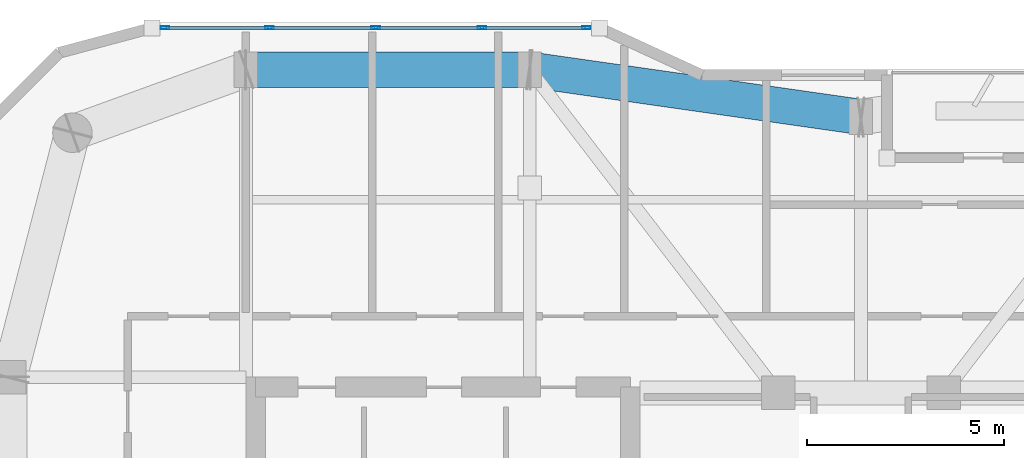
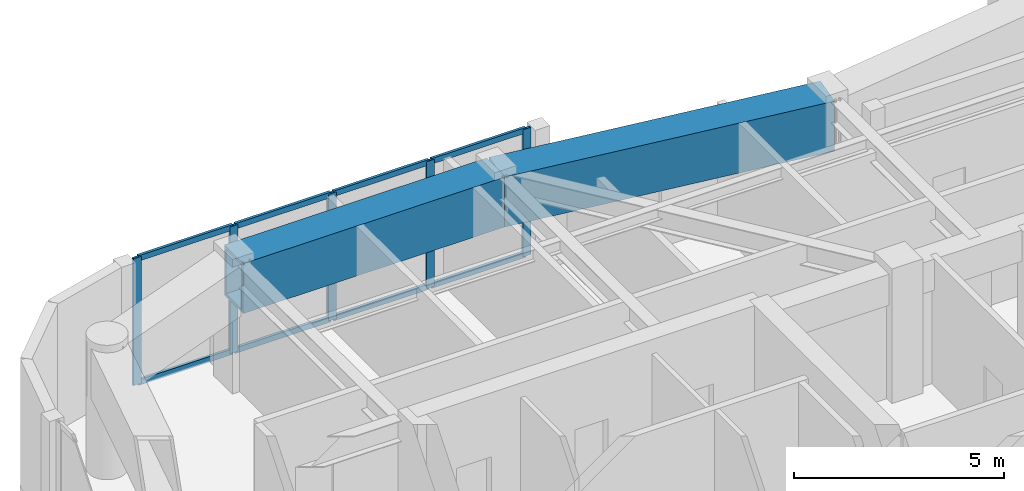
# One storey, part 6 of 16: 13 members, 2 beams, 1 element without a shape of its own.
"""IFC4 building model written with IfcOpenShell, lengths in metres."""

from ifc_helpers import new_model, si_unit, direction, frame, origin, origin_2d, place, context, subcontext, project, spatial, hollow_rectangle, extrude, material, layer, layer_set, material_profile, profile_set, type_object, element, aggregate, save


model = new_model("IFC4")

# Units and contexts
model_context = context("Model", 3, precision=1e-05, world=origin(), true_north=direction((0.0, 1.0)))
body_context = subcontext(model_context, "Body", "Model", "MODEL_VIEW")
ifc_project = project(units=[si_unit("LENGTHUNIT", "METRE"), si_unit("AREAUNIT", "SQUARE_METRE"), si_unit("VOLUMEUNIT", "CUBIC_METRE"), si_unit("PLANEANGLEUNIT", "RADIAN"), si_unit("MASSUNIT", "GRAM", prefix="KILO")], contexts=[model_context])

# Site, building, storey
site_placement = place(None, origin())
site = spatial("IfcSite", under=ifc_project, at=site_placement, CompositionType="ELEMENT")
building_placement = place(site_placement, origin())
building = spatial("IfcBuilding", under=site, at=building_placement, Name="Kiyonajd Concourse Tower", CompositionType="ELEMENT")
storey_placement = place(building_placement, frame((0.0, 0.0, 346.5)))
storey = spatial("IfcBuildingStorey", under=building, at=storey_placement, Name="L87", CompositionType="ELEMENT", Elevation=346.5)

# Beams
ifc_material_1 = material(Name="Steel ASTM A572 Grade 50", Category="steel")
ifc_material_profile_1 = material_profile(ifc_material_1, hollow_rectangle(XDim=0.89990234375, YDim=1.449951171875, WallThickness=0.074951171875, at=origin_2d()), Name="BOX-1450x900x75")
ifc_profile_set_1 = profile_set([ifc_material_profile_1], Name="Steel ASTM A572 Grade 50")
beam_type = type_object("IfcBeamType", Name="BM-XFER-1800", PredefinedType="BEAM", material=ifc_profile_set_1)
beam_1_placement = place(storey_placement, frame((48.0, 51.0, 2.955078125), z_axis=(-0.989950069105, 0.141417328072, 0.0), x_axis=(-0.141417328072, -0.989950069105, 0.0)))
element("IfcBeam", 1, at=beam_1_placement, inside=storey, type_object=beam_type, Name="L87 Perimeter Bundled Tube Spandrel", PredefinedType="BEAM", context=body_context, shape_type="SweptSolid", body=[
    extrude(hollow_rectangle(XDim=0.89990234375, YDim=1.449951171875, WallThickness=0.074951171875, at=origin_2d()), origin(), (0.0, 0.0, 1.0), 8.485107421875),
])
beam_2_placement = place(storey_placement, frame((39.60009765625, 52.199951171875, 2.955078125), z_axis=(-1.0, 0.0, 0.0), x_axis=(0.0, -1.0, 0.0)))
element("IfcBeam", 2, at=beam_2_placement, inside=storey, type_object=beam_type, Name="L87 Perimeter Bundled Tube Spandrel", PredefinedType="BEAM", context=body_context, shape_type="SweptSolid", body=[
    extrude(hollow_rectangle(XDim=0.89990234375, YDim=1.449951171875, WallThickness=0.074951171875, at=origin_2d()), origin(), (0.0, 0.0, 1.0), 7.2001953125),
])

# Curtain wall, members
ifc_material_2 = material(Name="Thermally Broken Anodised Aluminium", Category="aluminium")
ifc_layer = layer(ifc_material_2, 0.179931640625)
ifc_layer_set = layer_set([ifc_layer], Name="Thermally Broken Anodised Aluminium")
curtain_wall_type = type_object("IfcCurtainWallType", Name="CW-SYS-06", PredefinedType="NOTDEFINED", material=ifc_layer_set)
curtain_wall_placement = place(storey_placement, origin())
curtain_wall = element("IfcCurtainWall", 3, at=curtain_wall_placement, inside=storey, type_object=curtain_wall_type, Name="L87 Unitised Curtain Wall CW6", PredefinedType="NOTDEFINED")
ifc_material_profile_2 = material_profile(ifc_material_2, hollow_rectangle(XDim=0.074951171875, YDim=0.219970703125, WallThickness=0.0048828125, at=origin_2d()), Name="MULL-75x220")
ifc_profile_set_2 = profile_set([ifc_material_profile_2], Name="Thermally Broken Anodised Aluminium")
member_type_1 = type_object("IfcMemberType", Name="MB-CW-MULL2", PredefinedType="MULLION", material=ifc_profile_set_2)
member_1_placement = place(storey_placement, frame((30.345947265625, 53.260009765625, 0.0), z_axis=(0.0, 0.0, 1.0), x_axis=(0.0, 1.0, 0.0)))
member_1 = element("IfcMember", 4, at=member_1_placement, type_object=member_type_1, Name="CW6 mullion 1", PredefinedType="MULLION", context=body_context, shape_type="SweptSolid", body=[
    extrude(hollow_rectangle(XDim=0.074951171875, YDim=0.219970703125, WallThickness=0.0048828125, at=origin_2d()), origin(), (0.0, 0.0, 1.0), 3.679931640625),
])
member_2_placement = place(storey_placement, frame((33.001220703125, 53.260009765625, 0.0), z_axis=(0.0, 0.0, 1.0), x_axis=(0.0, 1.0, 0.0)))
member_2 = element("IfcMember", 5, at=member_2_placement, type_object=member_type_1, Name="CW6 mullion 2", PredefinedType="MULLION", context=body_context, shape_type="SweptSolid", body=[
    extrude(hollow_rectangle(XDim=0.074951171875, YDim=0.219970703125, WallThickness=0.0048828125, at=origin_2d()), origin(), (0.0, 0.0, 1.0), 3.679931640625),
])
member_3_placement = place(storey_placement, frame((35.69384765625, 53.260009765625, 0.0), z_axis=(0.0, 0.0, 1.0), x_axis=(0.0, 1.0, 0.0)))
member_3 = element("IfcMember", 6, at=member_3_placement, type_object=member_type_1, Name="CW6 mullion 3", PredefinedType="MULLION", context=body_context, shape_type="SweptSolid", body=[
    extrude(hollow_rectangle(XDim=0.074951171875, YDim=0.219970703125, WallThickness=0.0048828125, at=origin_2d()), origin(), (0.0, 0.0, 1.0), 3.679931640625),
])
member_4_placement = place(storey_placement, frame((38.386474609375, 53.260009765625, 0.0), z_axis=(0.0, 0.0, 1.0), x_axis=(0.0, 1.0, 0.0)))
member_4 = element("IfcMember", 7, at=member_4_placement, type_object=member_type_1, Name="CW6 mullion 4", PredefinedType="MULLION", context=body_context, shape_type="SweptSolid", body=[
    extrude(hollow_rectangle(XDim=0.074951171875, YDim=0.219970703125, WallThickness=0.0048828125, at=origin_2d()), origin(), (0.0, 0.0, 1.0), 3.679931640625),
])
member_5_placement = place(storey_placement, frame((41.041748046875, 53.260009765625, 0.0), z_axis=(0.0, 0.0, 1.0), x_axis=(0.0, 1.0, 0.0)))
member_5 = element("IfcMember", 8, at=member_5_placement, type_object=member_type_1, Name="CW6 mullion 5", PredefinedType="MULLION", context=body_context, shape_type="SweptSolid", body=[
    extrude(hollow_rectangle(XDim=0.074951171875, YDim=0.219970703125, WallThickness=0.0048828125, at=origin_2d()), origin(), (0.0, 0.0, 1.0), 3.679931640625),
])
ifc_material_profile_3 = material_profile(ifc_material_2, hollow_rectangle(XDim=0.074951171875, YDim=0.159912109375, WallThickness=0.0048828125, at=origin_2d()), Name="TRAN-75x160")
ifc_profile_set_3 = profile_set([ifc_material_profile_3], Name="Thermally Broken Anodised Aluminium")
member_type_2 = type_object("IfcMemberType", Name="MB-CW-TRAN2", PredefinedType="USERDEFINED", material=ifc_profile_set_3)
member_6_placement = place(storey_placement, frame((30.38330078125, 53.260009765625, 0.03759765625), z_axis=(1.0, 0.0, 0.0), x_axis=(0.0, 1.0, 0.0)))
member_6 = element("IfcMember", 9, at=member_6_placement, type_object=member_type_2, Name="CW6 transom 1.1", ObjectType="TRANSOM", PredefinedType="USERDEFINED", context=body_context, shape_type="SweptSolid", body=[
    extrude(hollow_rectangle(XDim=0.074951171875, YDim=0.159912109375, WallThickness=0.0048828125, at=origin_2d()), origin(), (0.0, 0.0, 1.0), 2.580322265625),
])
member_7_placement = place(storey_placement, frame((30.38330078125, 53.260009765625, 3.642578125), z_axis=(1.0, 0.0, 0.0), x_axis=(0.0, 1.0, 0.0)))
member_7 = element("IfcMember", 10, at=member_7_placement, type_object=member_type_2, Name="CW6 transom 1.2", ObjectType="TRANSOM", PredefinedType="USERDEFINED", context=body_context, shape_type="SweptSolid", body=[
    extrude(hollow_rectangle(XDim=0.074951171875, YDim=0.159912109375, WallThickness=0.0048828125, at=origin_2d()), origin(), (0.0, 0.0, 1.0), 2.580322265625),
])
member_8_placement = place(storey_placement, frame((33.03857421875, 53.260009765625, 0.03759765625), z_axis=(1.0, 0.0, 0.0), x_axis=(0.0, 1.0, 0.0)))
member_8 = element("IfcMember", 11, at=member_8_placement, type_object=member_type_2, Name="CW6 transom 2.1", ObjectType="TRANSOM", PredefinedType="USERDEFINED", context=body_context, shape_type="SweptSolid", body=[
    extrude(hollow_rectangle(XDim=0.074951171875, YDim=0.159912109375, WallThickness=0.0048828125, at=origin_2d()), origin(), (0.0, 0.0, 1.0), 2.61767578125),
])
member_9_placement = place(storey_placement, frame((33.03857421875, 53.260009765625, 3.642578125), z_axis=(1.0, 0.0, 0.0), x_axis=(0.0, 1.0, 0.0)))
member_9 = element("IfcMember", 12, at=member_9_placement, type_object=member_type_2, Name="CW6 transom 2.2", ObjectType="TRANSOM", PredefinedType="USERDEFINED", context=body_context, shape_type="SweptSolid", body=[
    extrude(hollow_rectangle(XDim=0.074951171875, YDim=0.159912109375, WallThickness=0.0048828125, at=origin_2d()), origin(), (0.0, 0.0, 1.0), 2.61767578125),
])
member_10_placement = place(storey_placement, frame((35.7314453125, 53.260009765625, 0.03759765625), z_axis=(1.0, 0.0, 0.0), x_axis=(0.0, 1.0, 0.0)))
member_10 = element("IfcMember", 13, at=member_10_placement, type_object=member_type_2, Name="CW6 transom 3.1", ObjectType="TRANSOM", PredefinedType="USERDEFINED", context=body_context, shape_type="SweptSolid", body=[
    extrude(hollow_rectangle(XDim=0.074951171875, YDim=0.159912109375, WallThickness=0.0048828125, at=origin_2d()), origin(), (0.0, 0.0, 1.0), 2.61767578125),
])
member_11_placement = place(storey_placement, frame((35.7314453125, 53.260009765625, 3.642578125), z_axis=(1.0, 0.0, 0.0), x_axis=(0.0, 1.0, 0.0)))
member_11 = element("IfcMember", 14, at=member_11_placement, type_object=member_type_2, Name="CW6 transom 3.2", ObjectType="TRANSOM", PredefinedType="USERDEFINED", context=body_context, shape_type="SweptSolid", body=[
    extrude(hollow_rectangle(XDim=0.074951171875, YDim=0.159912109375, WallThickness=0.0048828125, at=origin_2d()), origin(), (0.0, 0.0, 1.0), 2.61767578125),
])
member_12_placement = place(storey_placement, frame((38.424072265625, 53.260009765625, 0.03759765625), z_axis=(1.0, 0.0, 0.0), x_axis=(0.0, 1.0, 0.0)))
member_12 = element("IfcMember", 15, at=member_12_placement, type_object=member_type_2, Name="CW6 transom 4.1", ObjectType="TRANSOM", PredefinedType="USERDEFINED", context=body_context, shape_type="SweptSolid", body=[
    extrude(hollow_rectangle(XDim=0.074951171875, YDim=0.159912109375, WallThickness=0.0048828125, at=origin_2d()), origin(), (0.0, 0.0, 1.0), 2.580322265625),
])
member_13_placement = place(storey_placement, frame((38.424072265625, 53.260009765625, 3.642578125), z_axis=(1.0, 0.0, 0.0), x_axis=(0.0, 1.0, 0.0)))
member_13 = element("IfcMember", 16, at=member_13_placement, type_object=member_type_2, Name="CW6 transom 4.2", ObjectType="TRANSOM", PredefinedType="USERDEFINED", context=body_context, shape_type="SweptSolid", body=[
    extrude(hollow_rectangle(XDim=0.074951171875, YDim=0.159912109375, WallThickness=0.0048828125, at=origin_2d()), origin(), (0.0, 0.0, 1.0), 2.580322265625),
])
aggregate(curtain_wall, [member_1, member_2, member_3, member_4, member_5, member_6, member_7, member_8, member_9, member_10, member_11, member_12, member_13])

save(model, "model.ifc")
